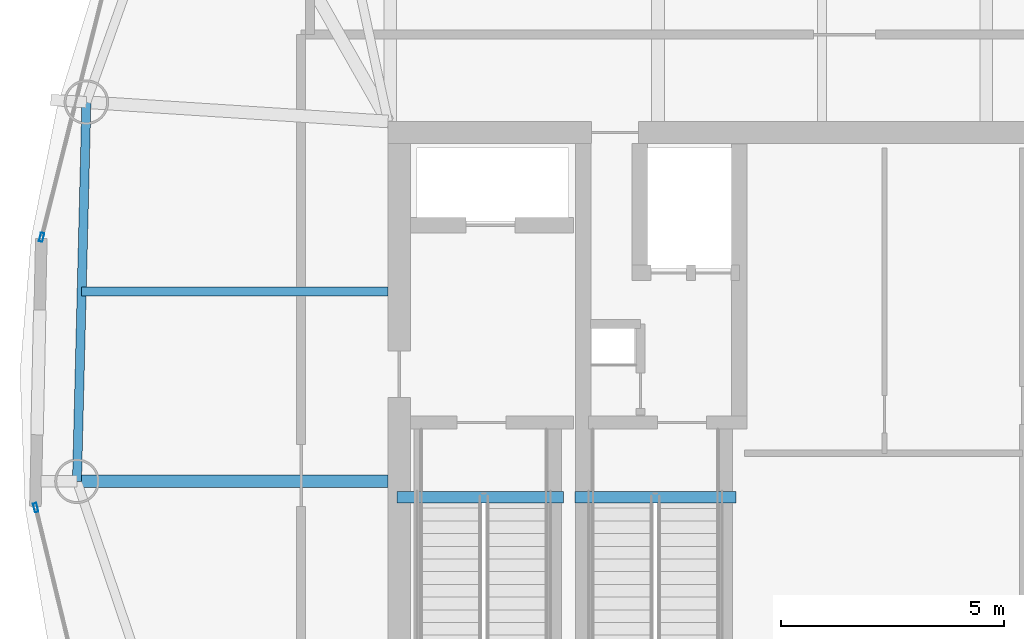
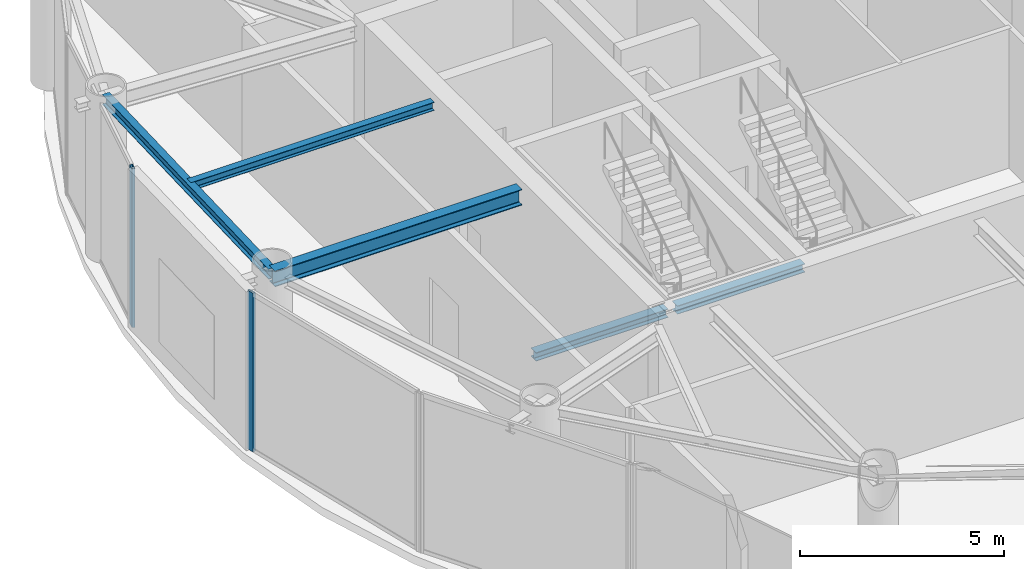
# One storey, part 8 of 23: 5 beams, 2 members, 2 elements without a shape of their own.
"""IFC4 building model written with IfcOpenShell, lengths in metres."""

from ifc_helpers import new_model, si_unit, direction, frame, origin, origin_2d, place, context, subcontext, project, spatial, hollow_rectangle, i_section, extrude, material, layer, layer_set, material_profile, profile_set, type_object, element, aggregate, save


model = new_model("IFC4")

# Units and contexts
model_context = context("Model", 3, precision=1e-05, world=origin(), true_north=direction((0.0, 1.0)))
body_context = subcontext(model_context, "Body", "Model", "MODEL_VIEW")
ifc_project = project(units=[si_unit("LENGTHUNIT", "METRE"), si_unit("AREAUNIT", "SQUARE_METRE"), si_unit("VOLUMEUNIT", "CUBIC_METRE"), si_unit("PLANEANGLEUNIT", "RADIAN"), si_unit("MASSUNIT", "GRAM", prefix="KILO")], contexts=[model_context])

# Site, building, storey
site_placement = place(None, origin())
site = spatial("IfcSite", under=ifc_project, at=site_placement, CompositionType="ELEMENT")
building_placement = place(site_placement, origin())
building = spatial("IfcBuilding", under=site, at=building_placement, Name="Bramvorn Convention Spire", CompositionType="ELEMENT")
storey_placement = place(building_placement, frame((0.0, 0.0, 307.5)))
storey = spatial("IfcBuildingStorey", under=building, at=storey_placement, Name="L78", CompositionType="ELEMENT", Elevation=307.5)

# Beams
ifc_material_1 = material(Name="Steel CSA G40.21 Grade 350 (350W)", Category="steel")
ifc_material_profile_1 = material_profile(ifc_material_1, i_section(OverallWidth=0.201904296875, OverallDepth=0.2470703125, WebThickness=0.00732421875, FlangeThickness=0.010986328125, FilletRadius=0.011962890625, at=origin_2d()))
ifc_profile_set_1 = profile_set([ifc_material_profile_1], Name="Steel CSA G40.21 Grade 350 (350W) - W250X49")
beam_type_1 = type_object("IfcBeamType", Name="BM-W250X49", PredefinedType="JOIST", material=ifc_profile_set_1)
beam_1_placement = place(storey_placement, frame((26.75, 29.626953125, 4.62646484375), z_axis=(-1.0, 0.0, 0.0), x_axis=(0.0, -1.0, 0.0)))
element("IfcBeam", 1, at=beam_1_placement, inside=storey, type_object=beam_type_1, Name="L78 composite floor joist 11", PredefinedType="JOIST", context=body_context, shape_type="SweptSolid", body=[
    extrude(i_section(OverallWidth=0.201904296875, OverallDepth=0.2470703125, WebThickness=0.00732421875, FlangeThickness=0.010986328125, FilletRadius=0.011962890625, at=origin_2d()), origin(), (0.0, 0.0, 1.0), 6.879150390625),
])
ifc_material_profile_2 = material_profile(ifc_material_1, i_section(OverallWidth=0.25390625, OverallDepth=0.2529296875, WebThickness=0.008544921875, FlangeThickness=0.01416015625, FilletRadius=0.011962890625, at=origin_2d()))
ifc_profile_set_2 = profile_set([ifc_material_profile_2], Name="Steel CSA G40.21 Grade 350 (350W) - W250X73")
beam_type_2 = type_object("IfcBeamType", Name="BM-W250X73", PredefinedType="BEAM", material=ifc_profile_set_2)
beam_2_placement = place(storey_placement, frame((26.949951171875, 25.010009765625, -0.12646484375), z_axis=(1.0, 0.0, 0.0), x_axis=(0.0, 1.0, 0.0)))
element("IfcBeam", 2, at=beam_2_placement, inside=storey, type_object=beam_type_2, Name="L78 ST1 stair arrival header beam", PredefinedType="BEAM", context=body_context, shape_type="SweptSolid", body=[
    extrude(i_section(OverallWidth=0.25390625, OverallDepth=0.2529296875, WebThickness=0.008544921875, FlangeThickness=0.01416015625, FilletRadius=0.011962890625, at=origin_2d()), origin(), (0.0, 0.0, 1.0), 3.739990234375),
])
beam_3_placement = place(storey_placement, frame((30.949951171875, 25.010009765625, -0.12646484375), z_axis=(1.0, 0.0, 0.0), x_axis=(0.0, 1.0, 0.0)))
element("IfcBeam", 3, at=beam_3_placement, inside=storey, type_object=beam_type_2, Name="L78 ST3 stair arrival header beam", PredefinedType="BEAM", context=body_context, shape_type="SweptSolid", body=[
    extrude(i_section(OverallWidth=0.25390625, OverallDepth=0.2529296875, WebThickness=0.008544921875, FlangeThickness=0.01416015625, FilletRadius=0.011962890625, at=origin_2d()), origin(), (0.0, 0.0, 1.0), 3.610107421875),
])
ifc_material_profile_3 = material_profile(ifc_material_1, i_section(OverallWidth=0.202880859375, OverallDepth=0.302978515625, WebThickness=0.007568359375, FlangeThickness=0.01318359375, FilletRadius=0.013916015625, at=origin_2d()))
ifc_profile_set_3 = profile_set([ifc_material_profile_3], Name="Steel CSA G40.21 Grade 350 (350W) - W310X60")
beam_type_3 = type_object("IfcBeamType", Name="BM-W310X60", PredefinedType="JOIST", material=ifc_profile_set_3)
beam_4_placement = place(storey_placement, frame((19.976318359375, 33.883544921875, 4.598388671875), z_axis=(-0.024770853371, -0.999693155335, 0.0), x_axis=(0.999693155335, -0.024770853371, 0.0)))
element("IfcBeam", 4, at=beam_4_placement, inside=storey, type_object=beam_type_3, Name="L78 mega-column ring beam 11", PredefinedType="JOIST", context=body_context, shape_type="SweptSolid", body=[
    extrude(i_section(OverallWidth=0.202880859375, OverallDepth=0.302978515625, WebThickness=0.007568359375, FlangeThickness=0.01318359375, FilletRadius=0.013916015625, at=origin_2d()), origin(), (0.0, 0.0, 1.0), 8.515625),
])
ifc_material_profile_4 = material_profile(ifc_material_1, i_section(OverallWidth=0.283935546875, OverallDepth=0.47607421875, WebThickness=0.014892578125, FlangeThickness=0.02392578125, FilletRadius=0.01806640625, at=origin_2d()))
ifc_profile_set_4 = profile_set([ifc_material_profile_4], Name="Steel CSA G40.21 Grade 350 (350W) - W460X158")
beam_type_4 = type_object("IfcBeamType", Name="BM-W460X158", PredefinedType="SPANDREL", material=ifc_profile_set_4)
beam_5_placement = place(storey_placement, frame((26.75, 25.37060546875, 4.511962890625), z_axis=(-1.0, 0.0, 0.0), x_axis=(0.0, -1.0, 0.0)))
element("IfcBeam", 5, at=beam_5_placement, inside=storey, type_object=beam_type_4, Name="L78 radial floor girder MC12", PredefinedType="SPANDREL", context=body_context, shape_type="SweptSolid", body=[
    extrude(i_section(OverallWidth=0.283935546875, OverallDepth=0.47607421875, WebThickness=0.014892578125, FlangeThickness=0.02392578125, FilletRadius=0.01806640625, at=origin_2d()), origin(), (0.0, 0.0, 1.0), 6.984619140625),
])

# Curtain wall, member
ifc_material_2 = material(Name="Anodised Bronze Unitised Curtain Wall", Category="aluminium")
ifc_layer = layer(ifc_material_2, 0.199951171875)
ifc_layer_set = layer_set([ifc_layer], Name="Anodised Bronze Unitised Curtain Wall - CW-PLANT-LOUVRE")
curtain_wall_type = type_object("IfcCurtainWallType", Name="CW-PLANT-LOUVRE", PredefinedType="USERDEFINED", material=ifc_layer_set)
curtain_wall_1_placement = place(storey_placement, origin())
curtain_wall_1 = element("IfcCurtainWall", 6, at=curtain_wall_1_placement, inside=storey, type_object=curtain_wall_type, Name="L78 fritted glass curtain wall 16", ObjectType="UNITISED CURTAIN WALL", PredefinedType="USERDEFINED")
ifc_material_3 = material(Name="Anodised Bronze Aluminium 6063-T6", Category="aluminium")
ifc_material_profile_5 = material_profile(ifc_material_3, hollow_rectangle(XDim=0.080078125, YDim=0.199951171875, WallThickness=0.00390625, InnerFilletRadius=0.0009765625, OuterFilletRadius=0.00390625, at=origin_2d()))
ifc_profile_set_5 = profile_set([ifc_material_profile_5], Name="Anodised Bronze Aluminium 6063-T6 - CWM80X200")
member_type = type_object("IfcMemberType", Name="CW-MUL-180", PredefinedType="MULLION", material=ifc_profile_set_5)
member_1_placement = place(storey_placement, frame((18.971923828125, 30.850341796875, 0.0), z_axis=(0.0, 0.0, 1.0), x_axis=(-0.969797329176, 0.243912156981, 0.0)))
member_1 = element("IfcMember", 7, at=member_1_placement, type_object=member_type, Name="CW5 mullion 1", PredefinedType="MULLION", context=body_context, shape_type="SweptSolid", body=[
    extrude(hollow_rectangle(XDim=0.080078125, YDim=0.199951171875, WallThickness=0.00390625, InnerFilletRadius=0.0009765625, OuterFilletRadius=0.00390625, at=origin_2d()), origin(), (0.0, 0.0, 1.0), 4.75),
])
aggregate(curtain_wall_1, [member_1])

curtain_wall_2_placement = place(storey_placement, origin())
curtain_wall_2 = element("IfcCurtainWall", 8, at=curtain_wall_2_placement, inside=storey, type_object=curtain_wall_type, Name="L78 fritted glass curtain wall 18", ObjectType="UNITISED CURTAIN WALL", PredefinedType="USERDEFINED")
member_2_placement = place(storey_placement, frame((18.839111328125, 24.778564453125, 0.0), z_axis=(0.0, 0.0, 1.0), x_axis=(-0.971873206658, -0.235504713711, 0.0)))
member_2 = element("IfcMember", 9, at=member_2_placement, type_object=member_type, Name="CW5 mullion 2", PredefinedType="MULLION", context=body_context, shape_type="SweptSolid", body=[
    extrude(hollow_rectangle(XDim=0.080078125, YDim=0.199951171875, WallThickness=0.00390625, InnerFilletRadius=0.0009765625, OuterFilletRadius=0.00390625, at=origin_2d()), origin(), (0.0, 0.0, 1.0), 4.75),
])
aggregate(curtain_wall_2, [member_2])

save(model, "model.ifc")
